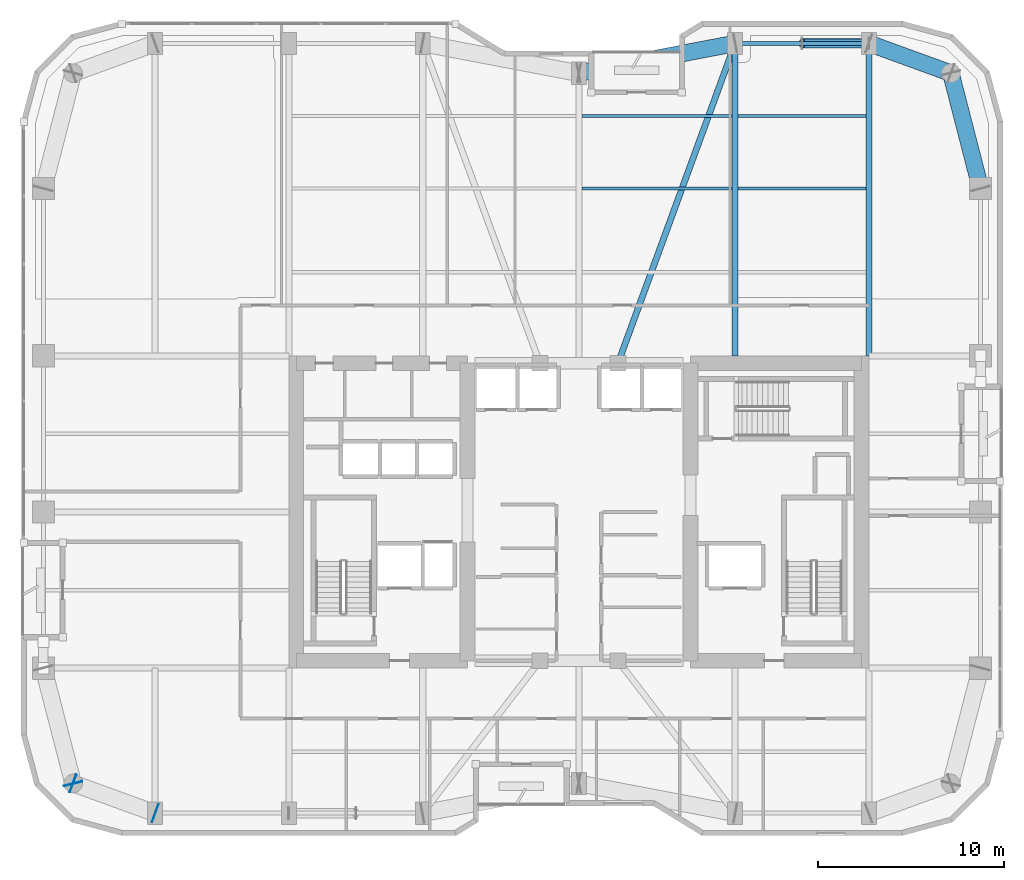
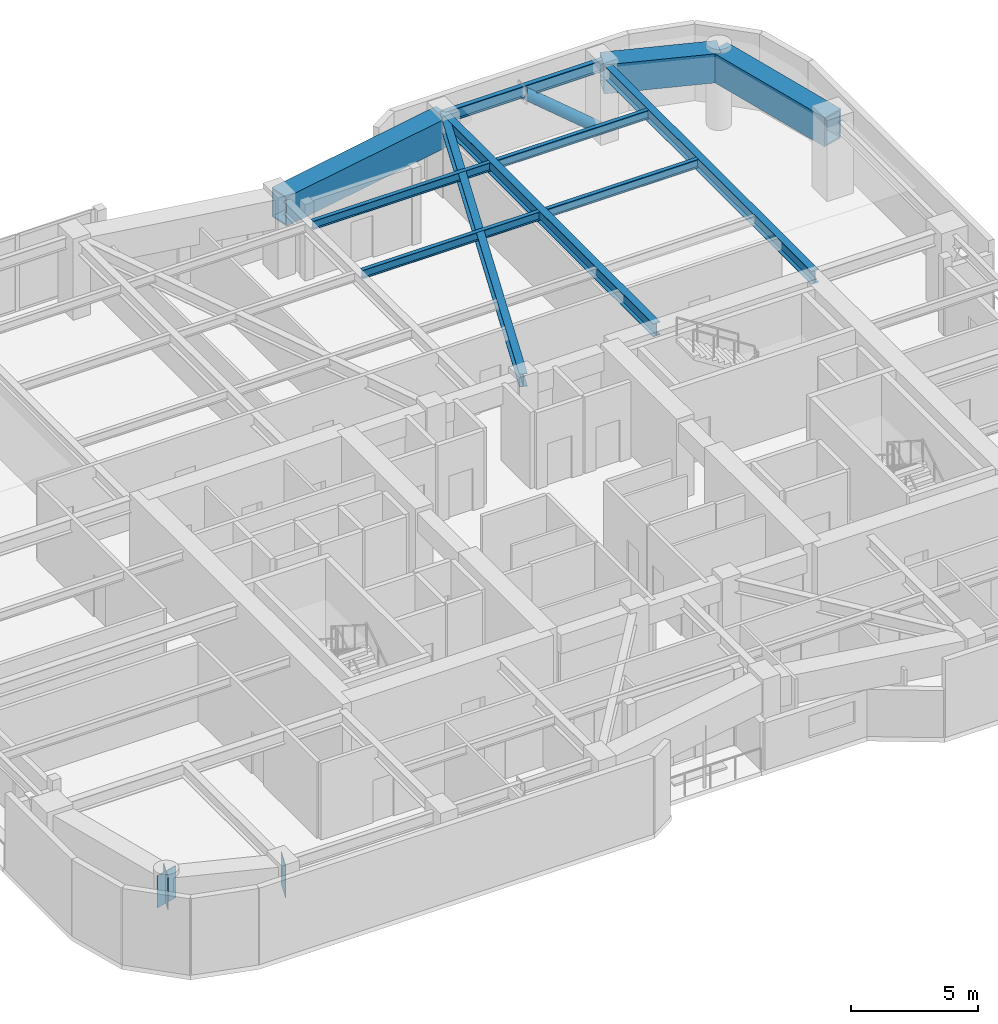
# One storey, part 20 of 30: 11 beams, 3 plates, 1 member.
"""IFC4 building model written with IfcOpenShell, lengths in metres."""

from ifc_helpers import new_model, si_unit, direction, frame, origin, origin_2d, place, context, subcontext, project, spatial, rectangle, hollow_rectangle, hollow_circle, i_section, extrude, material, layer, layer_set, material_profile, profile_set, type_object, element, save


model = new_model("IFC4")

# Units and contexts
model_context = context("Model", 3, precision=1e-05, world=origin(), true_north=direction((0.0, 1.0)))
body_context = subcontext(model_context, "Body", "Model", "MODEL_VIEW")
ifc_project = project(units=[si_unit("LENGTHUNIT", "METRE"), si_unit("AREAUNIT", "SQUARE_METRE"), si_unit("VOLUMEUNIT", "CUBIC_METRE"), si_unit("PLANEANGLEUNIT", "RADIAN"), si_unit("MASSUNIT", "GRAM", prefix="KILO")], contexts=[model_context])

# Site, building, storey
site_placement = place(None, origin())
site = spatial("IfcSite", under=ifc_project, at=site_placement, CompositionType="ELEMENT")
building_placement = place(site_placement, origin())
building = spatial("IfcBuilding", under=site, at=building_placement, Name="Kiyonajd Concourse Tower", CompositionType="ELEMENT")
storey_placement = place(building_placement, frame((0.0, 0.0, 170.10009765625)))
storey = spatial("IfcBuildingStorey", under=building, at=storey_placement, Name="L43", CompositionType="ELEMENT", Elevation=170.10009765625)

# Beams
ifc_material_1 = material(Name="Steel ASTM A992 Grade 50", Category="steel")
ifc_material_profile_1 = material_profile(ifc_material_1, i_section(OverallWidth=0.180908203125, OverallDepth=0.4169921875, WebThickness=0.010986328125, FlangeThickness=0.018310546875, at=origin_2d()), Name="W410X85")
ifc_profile_set_1 = profile_set([ifc_material_profile_1], Name="Steel ASTM A992 Grade 50")
beam_type_1 = type_object("IfcBeamType", Name="BM-JST-410", PredefinedType="JOIST", material=ifc_profile_set_1)
beam_1_placement = place(storey_placement, frame((48.16357421875, 53.39990234375, 3.471435546875), z_axis=(1.0, 0.0, 0.0), x_axis=(0.0, 1.0, 0.0)))
element("IfcBeam", 1, at=beam_1_placement, inside=storey, type_object=beam_type_1, Name="L43 Secondary Floor Joist", PredefinedType="JOIST", context=body_context, shape_type="SweptSolid", body=[
    extrude(i_section(OverallWidth=0.180908203125, OverallDepth=0.4169921875, WebThickness=0.010986328125, FlangeThickness=0.018310546875, at=origin_2d()), origin(), (0.0, 0.0, 1.0), 8.072998046875),
])
beam_2_placement = place(storey_placement, frame((56.5634765625, 53.39990234375, 3.471435546875), z_axis=(1.0, 0.0, 0.0), x_axis=(0.0, 1.0, 0.0)))
element("IfcBeam", 2, at=beam_2_placement, inside=storey, type_object=beam_type_1, Name="L43 Secondary Floor Joist", PredefinedType="JOIST", context=body_context, shape_type="SweptSolid", body=[
    extrude(i_section(OverallWidth=0.180908203125, OverallDepth=0.4169921875, WebThickness=0.010986328125, FlangeThickness=0.018310546875, at=origin_2d()), origin(), (0.0, 0.0, 1.0), 6.873046875),
])
beam_3_placement = place(storey_placement, frame((48.16357421875, 57.300048828125, 3.471435546875), z_axis=(1.0, 0.0, 0.0), x_axis=(0.0, 1.0, 0.0)))
element("IfcBeam", 3, at=beam_3_placement, inside=storey, type_object=beam_type_1, Name="L43 Secondary Floor Joist", PredefinedType="JOIST", context=body_context, shape_type="SweptSolid", body=[
    extrude(i_section(OverallWidth=0.180908203125, OverallDepth=0.4169921875, WebThickness=0.010986328125, FlangeThickness=0.018310546875, at=origin_2d()), origin(), (0.0, 0.0, 1.0), 8.072998046875),
])
beam_4_placement = place(storey_placement, frame((56.5634765625, 57.300048828125, 3.471435546875), z_axis=(1.0, 0.0, 0.0), x_axis=(0.0, 1.0, 0.0)))
element("IfcBeam", 4, at=beam_4_placement, inside=storey, type_object=beam_type_1, Name="L43 Secondary Floor Joist", PredefinedType="JOIST", context=body_context, shape_type="SweptSolid", body=[
    extrude(i_section(OverallWidth=0.180908203125, OverallDepth=0.4169921875, WebThickness=0.010986328125, FlangeThickness=0.018310546875, at=origin_2d()), origin(), (0.0, 0.0, 1.0), 6.873046875),
])
ifc_material_profile_2 = material_profile(ifc_material_1, i_section(OverallWidth=0.214111328125, OverallDepth=0.549072265625, WebThickness=0.0146484375, FlangeThickness=0.023681640625, at=origin_2d()), Name="W530X138")
ifc_profile_set_2 = profile_set([ifc_material_profile_2], Name="Steel ASTM A992 Grade 50")
beam_type_2 = type_object("IfcBeamType", Name="BM-SPAN-530A", PredefinedType="SPANDREL", material=ifc_profile_set_2)
beam_5_placement = place(storey_placement, frame((63.60009765625, 61.199951171875, 3.405517578125), z_axis=(-1.0, 0.0, 0.0), x_axis=(0.0, -1.0, 0.0)))
element("IfcBeam", 5, at=beam_5_placement, inside=storey, type_object=beam_type_2, Name="L43 Perimeter Bundled Tube Spandrel", PredefinedType="SPANDREL", context=body_context, shape_type="SweptSolid", body=[
    extrude(i_section(OverallWidth=0.214111328125, OverallDepth=0.549072265625, WebThickness=0.0146484375, FlangeThickness=0.023681640625, at=origin_2d()), origin(), (0.0, 0.0, 1.0), 7.2001953125),
])
ifc_material_profile_3 = material_profile(ifc_material_1, i_section(OverallWidth=0.326904296875, OverallDepth=0.6220703125, WebThickness=0.015380859375, FlangeThickness=0.0244140625, at=origin_2d()), Name="W610X195")
ifc_profile_set_3 = profile_set([ifc_material_profile_3], Name="Steel ASTM A992 Grade 50")
beam_type_3 = type_object("IfcBeamType", Name="BM-TWR-610A", PredefinedType="BEAM", material=ifc_profile_set_3)
beam_6_placement = place(storey_placement, frame((50.10009765625, 44.0, 3.368896484375), z_axis=(0.343925269715, 0.938997022813, 0.0), x_axis=(-0.938997022813, 0.343925269715, 0.0)))
element("IfcBeam", 6, at=beam_6_placement, inside=storey, type_object=beam_type_3, Name="L43 Core Tie Girder", PredefinedType="BEAM", context=body_context, shape_type="SweptSolid", body=[
    extrude(i_section(OverallWidth=0.326904296875, OverallDepth=0.6220703125, WebThickness=0.015380859375, FlangeThickness=0.0244140625, at=origin_2d()), origin(), (0.0, 0.0, 1.0), 18.3173828125),
])
for number, where, z_axis, x_axis, name in (
    (7, (56.39990234375, 44.39990234375, 3.368896484375), (0.0, 1.0, 0.0), (-1.0, 0.0, 0.0), "L43 North Lease Girder"),
    (8, (63.60009765625, 44.39990234375, 3.368896484375), (0.0, 1.0, 0.0), (-1.0, 0.0, 0.0), "L43 North Lease Girder"),
):
    element("IfcBeam", number, at=place(storey_placement, frame(where, z_axis=z_axis, x_axis=x_axis)), inside=storey, type_object=beam_type_3, Name=name, PredefinedType="BEAM", context=body_context, shape_type="SweptSolid", body=[
        extrude(i_section(OverallWidth=0.326904296875, OverallDepth=0.6220703125, WebThickness=0.015380859375, FlangeThickness=0.0244140625, at=origin_2d()), origin(), (0.0, 0.0, 1.0), 16.800048828125),
    ])
ifc_material_2 = material(Name="Steel ASTM A572 Grade 50", Category="steel")
ifc_material_profile_4 = material_profile(ifc_material_2, hollow_rectangle(XDim=0.89990234375, YDim=1.39990234375, WallThickness=0.070068359375, at=origin_2d()), Name="BOX-1400x900x70")
ifc_profile_set_4 = profile_set([ifc_material_profile_4], Name="Steel ASTM A572 Grade 50")
beam_type_4 = type_object("IfcBeamType", Name="BM-XFER-1400", PredefinedType="BEAM", material=ifc_profile_set_4)
beam_7_placement = place(storey_placement, frame((69.60009765625, 53.39990234375, 2.97998046875), z_axis=(-0.249884937687, 0.968275538221, 0.0), x_axis=(-0.968275538221, -0.249884937687, 0.0)))
element("IfcBeam", 9, at=beam_7_placement, inside=storey, type_object=beam_type_4, Name="L43 Perimeter Bundled Tube Spandrel", PredefinedType="BEAM", context=body_context, shape_type="SweptSolid", body=[
    extrude(hollow_rectangle(XDim=0.89990234375, YDim=1.39990234375, WallThickness=0.070068359375, at=origin_2d()), origin(), (0.0, 0.0, 1.0), 6.4033203125),
])
beam_8_placement = place(storey_placement, frame((68.0, 59.60009765625, 2.97998046875), z_axis=(-0.939801036019, 0.341722127901, 0.0), x_axis=(-0.341722127901, -0.939801036019, 0.0)))
element("IfcBeam", 10, at=beam_8_placement, inside=storey, type_object=beam_type_4, Name="L43 Perimeter Bundled Tube Spandrel", PredefinedType="BEAM", context=body_context, shape_type="SweptSolid", body=[
    extrude(hollow_rectangle(XDim=0.89990234375, YDim=1.39990234375, WallThickness=0.070068359375, at=origin_2d()), origin(), (0.0, 0.0, 1.0), 4.681640625),
])
beam_9_placement = place(storey_placement, frame((56.39990234375, 61.199951171875, 2.97998046875), z_axis=(-0.982341315253, -0.187097675953, 0.0), x_axis=(0.187097675953, -0.982341315253, 0.0)))
element("IfcBeam", 11, at=beam_9_placement, inside=storey, type_object=beam_type_4, Name="L43 Perimeter Bundled Tube Spandrel", PredefinedType="BEAM", context=body_context, shape_type="SweptSolid", body=[
    extrude(hollow_rectangle(XDim=0.89990234375, YDim=1.39990234375, WallThickness=0.070068359375, at=origin_2d()), origin(), (0.0, 0.0, 1.0), 8.55078125),
])

# Member
ifc_material_3 = material(Name="Steel ASTM A500 Grade C", Category="steel")
ifc_material_profile_5 = material_profile(ifc_material_3, hollow_circle(Radius=0.25390625, WallThickness=0.02197265625, at=origin_2d()), Name="CHS-508x22")
ifc_profile_set_5 = profile_set([ifc_material_profile_5], Name="Steel ASTM A500 Grade C")
member_type = type_object("IfcMemberType", Name="MB-PB-MID", PredefinedType="BRACE", material=ifc_profile_set_5)
member_placement = place(storey_placement, frame((63.60009765625, 61.199951171875, 0.2998046875), z_axis=(-0.765082043761, 0.0, 0.643932811957), x_axis=(0.0, -1.0, 0.0)))
element("IfcMember", 12, at=member_placement, inside=storey, type_object=member_type, Name="L43 Upper Zone Hollow Tube Brace PBN", PredefinedType="BRACE", context=body_context, shape_type="SweptSolid", body=[
    extrude(hollow_circle(Radius=0.25390625, WallThickness=0.02197265625, at=origin_2d()), origin(), (0.0, 0.0, 1.0), 4.70556640625),
])

# Plates
ifc_layer = layer(ifc_material_2, 0.031982421875)
ifc_layer_set = layer_set([ifc_layer], Name="Steel ASTM A572 Grade 50")
plate_type = type_object("IfcPlateType", Name="PL-CAP-540", PredefinedType="USERDEFINED", material=ifc_layer_set)
for number, where, z_axis, x_axis, name in (
    (13, (20.802734375, 21.389404296875, 2.2099609375), (0.0, 0.0, 1.0), (0.249873048837, -0.968278606324, 0.0), "L43 Welded Box Girder End Cap"),
    (14, (20.789794921875, 21.40380859375, 2.2099609375), (0.0, 0.0, 1.0), (-0.939811951086, 0.341692107891, 0.0), "L43 Welded Box Girder End Cap"),
    (15, (25.210205078125, 19.796142578125, 2.2099609375), (0.0, 0.0, 1.0), (0.939811951086, -0.341692107891, 0.0), "L43 Welded Box Girder End Cap"),
):
    element("IfcPlate", number, at=place(storey_placement, frame(where, z_axis=z_axis, x_axis=x_axis)), inside=storey, type_object=plate_type, Name=name, ObjectType="CAP PLATE", PredefinedType="USERDEFINED", context=body_context, shape_type="SweptSolid", body=[
        extrude(rectangle(XDim=0.035888671875, YDim=1.02001953125, at=origin_2d()), origin(), (0.0, 0.0, 1.0), 1.5400390625),
    ])

save(model, "model.ifc")
